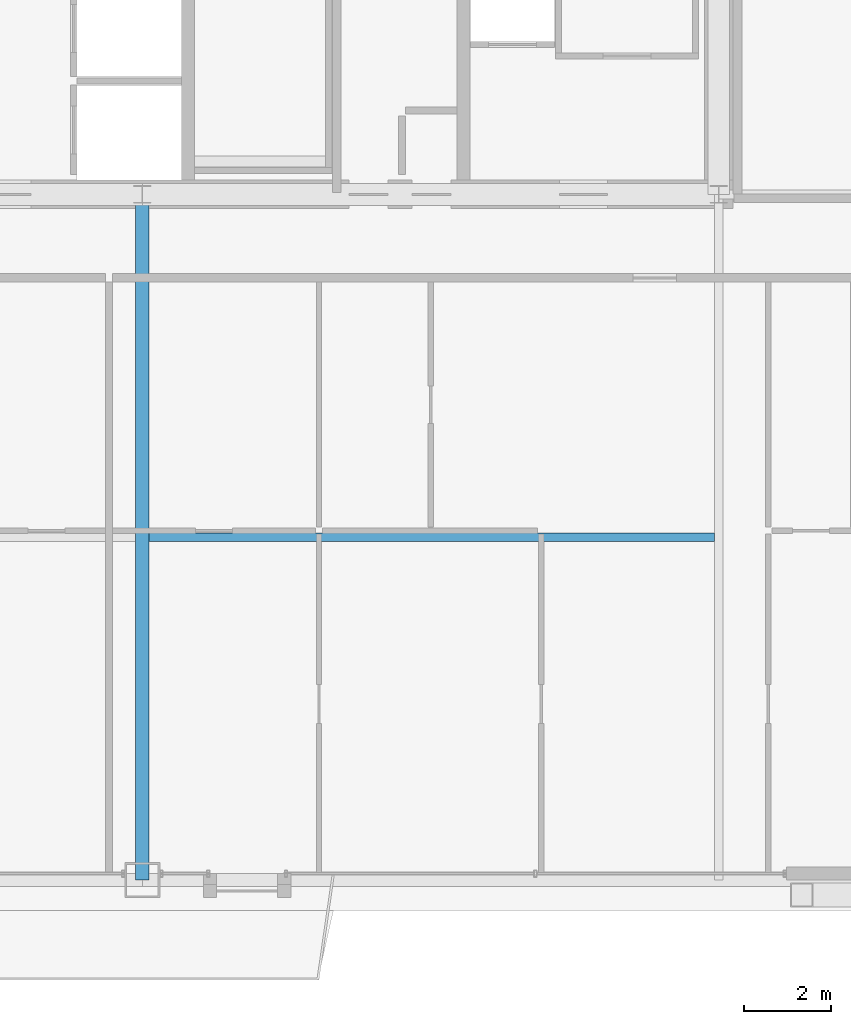
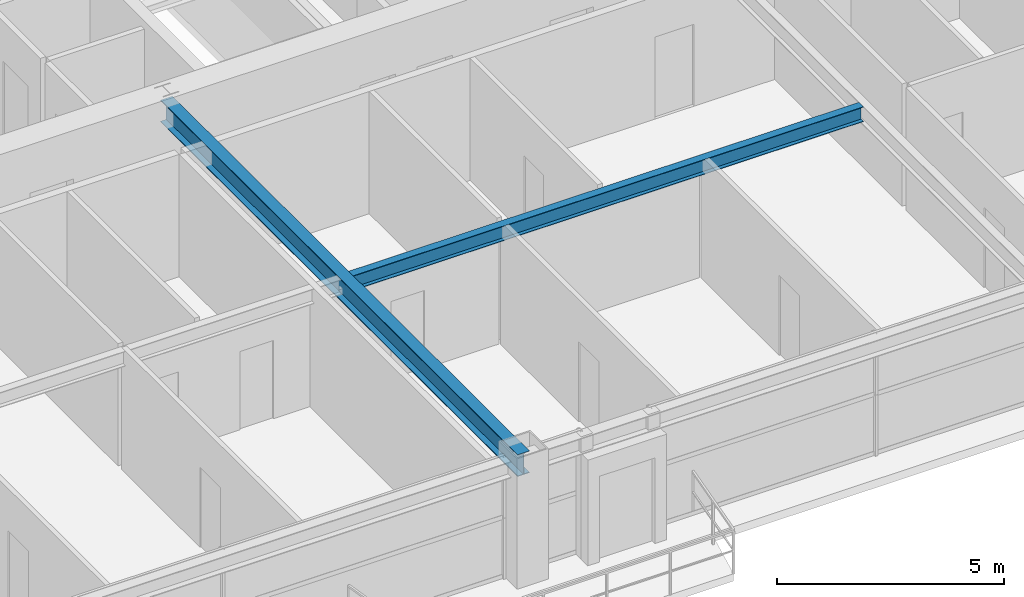
# One storey, part 13 of 45: 2 beams.
"""IFC4 building model written with IfcOpenShell, lengths in metres."""

from ifc_helpers import new_model, si_unit, direction, frame, origin, origin_2d, place, context, subcontext, project, spatial, i_section, extrude, source, transform, mapped, material, material_profile, profile_set, type_object, element, save


model = new_model("IFC4")

# Units and contexts
model_context = context("Model", 3, precision=1e-05, world=origin(), true_north=direction((0.0, 1.0)))
body_context = subcontext(model_context, "Body", "Model", "MODEL_VIEW")
ifc_project = project(units=[si_unit("LENGTHUNIT", "METRE"), si_unit("AREAUNIT", "SQUARE_METRE"), si_unit("VOLUMEUNIT", "CUBIC_METRE"), si_unit("PLANEANGLEUNIT", "RADIAN"), si_unit("MASSUNIT", "GRAM", prefix="KILO"), si_unit("THERMODYNAMICTEMPERATUREUNIT", "KELVIN"), si_unit("POWERUNIT", "WATT")], contexts=[model_context])

# Site, building, storey
site_placement = place(None, origin())
site = spatial("IfcSite", under=ifc_project, at=site_placement, CompositionType="ELEMENT")
building_placement = place(site_placement, origin())
building = spatial("IfcBuilding", under=site, at=building_placement, Name="Yuzanri Waterfront Tower", CompositionType="ELEMENT")
storey_placement = place(building_placement, frame((0.0, 0.0, 191.5)))
storey = spatial("IfcBuildingStorey", under=building, at=storey_placement, Name="L50", CompositionType="ELEMENT", Elevation=191.5)

# Beams
ifc_material_1 = material(Name="Steel Q355B", Category="steel")
ifc_material_profile_1 = material_profile(ifc_material_1, i_section(OverallWidth=0.199951171875, OverallDepth=0.39990234375, WebThickness=0.008056640625, FlangeThickness=0.012939453125, at=origin_2d()), Name="HN 400x200x8x13")
ifc_profile_set_1 = profile_set([ifc_material_profile_1], Name="Steel Q355B")
beam_type_1 = type_object("IfcBeamType", Name="Floor Joist Q355B HN 400x200", PredefinedType="JOIST", material=ifc_profile_set_1)
shared_shape_1 = source(origin(), body_context, "Body", "SweptSolid", [
    extrude(i_section(OverallWidth=0.199951171875, OverallDepth=0.39990234375, WebThickness=0.008056640625, FlangeThickness=0.012939453125, at=origin_2d()), origin(), (0.0, 0.0, 1.0), 12.9501953125),
])
beam_1_placement = place(storey_placement, frame((37.14990234375, 11.550048828125, 3.080078125), z_axis=(1.0, 0.0, 0.0), x_axis=(0.0, 1.0, 0.0)))
element("IfcBeam", 1, at=beam_1_placement, inside=storey, type_object=beam_type_1, Name="L50 South Bay Joist E", PredefinedType="JOIST", context=body_context, shape_type="MappedRepresentation", body=[
    mapped(shared_shape_1, transform((0.0, 0.0, 0.0), scale=1.0)),
])
ifc_material_2 = material(Name="Steel Q355B", Category="steel")
ifc_material_profile_2 = material_profile(ifc_material_2, i_section(OverallWidth=0.300048828125, OverallDepth=0.587890625, WebThickness=0.011962890625, FlangeThickness=0.02001953125, at=origin_2d()), Name="HM 588x300x12x20")
ifc_profile_set_2 = profile_set([ifc_material_profile_2], Name="Steel Q355B")
beam_type_2 = type_object("IfcBeamType", Name="Primary Floor Girder Q355B HM 588x300", PredefinedType="BEAM", material=ifc_profile_set_2)
shared_shape_2 = source(origin(), body_context, "Body", "SweptSolid", [
    extrude(i_section(OverallWidth=0.300048828125, OverallDepth=0.587890625, WebThickness=0.011962890625, FlangeThickness=0.02001953125, at=origin_2d()), origin(), (0.0, 0.0, 1.0), 15.699951171875),
])
beam_2_placement = place(storey_placement, frame((37.0, 19.39990234375, 2.986083984375), z_axis=(0.0, -1.0, 0.0), x_axis=(1.0, 0.0, 0.0)))
element("IfcBeam", 2, at=beam_2_placement, inside=storey, type_object=beam_type_2, Name="L50 South Grid Girder", PredefinedType="BEAM", context=body_context, shape_type="MappedRepresentation", body=[
    mapped(shared_shape_2, transform((0.0, 0.0, 0.0), scale=1.0)),
])

save(model, "model.ifc")
